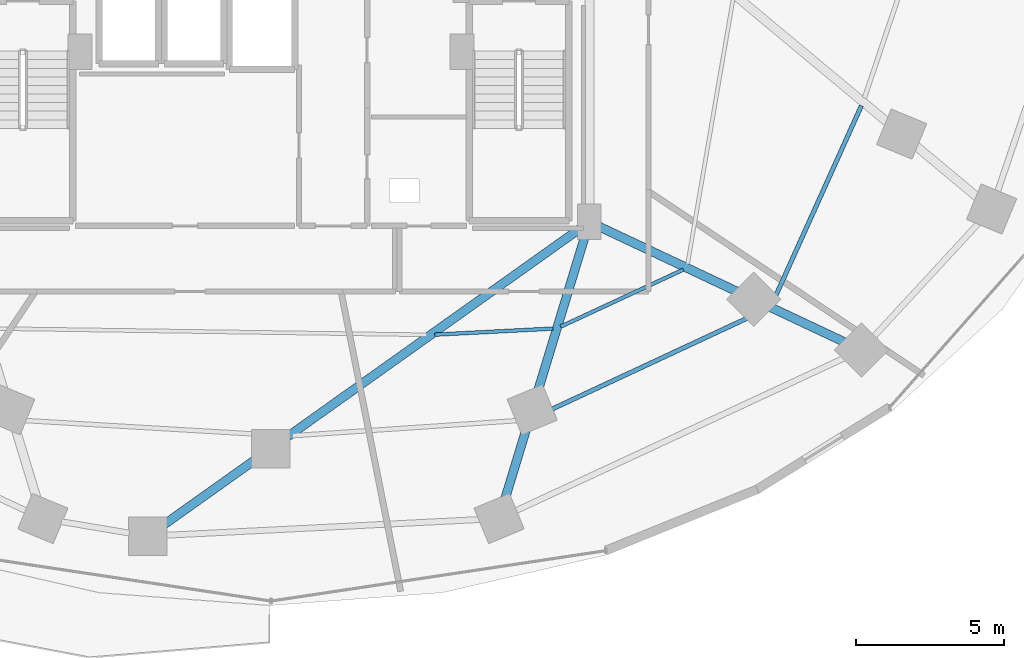
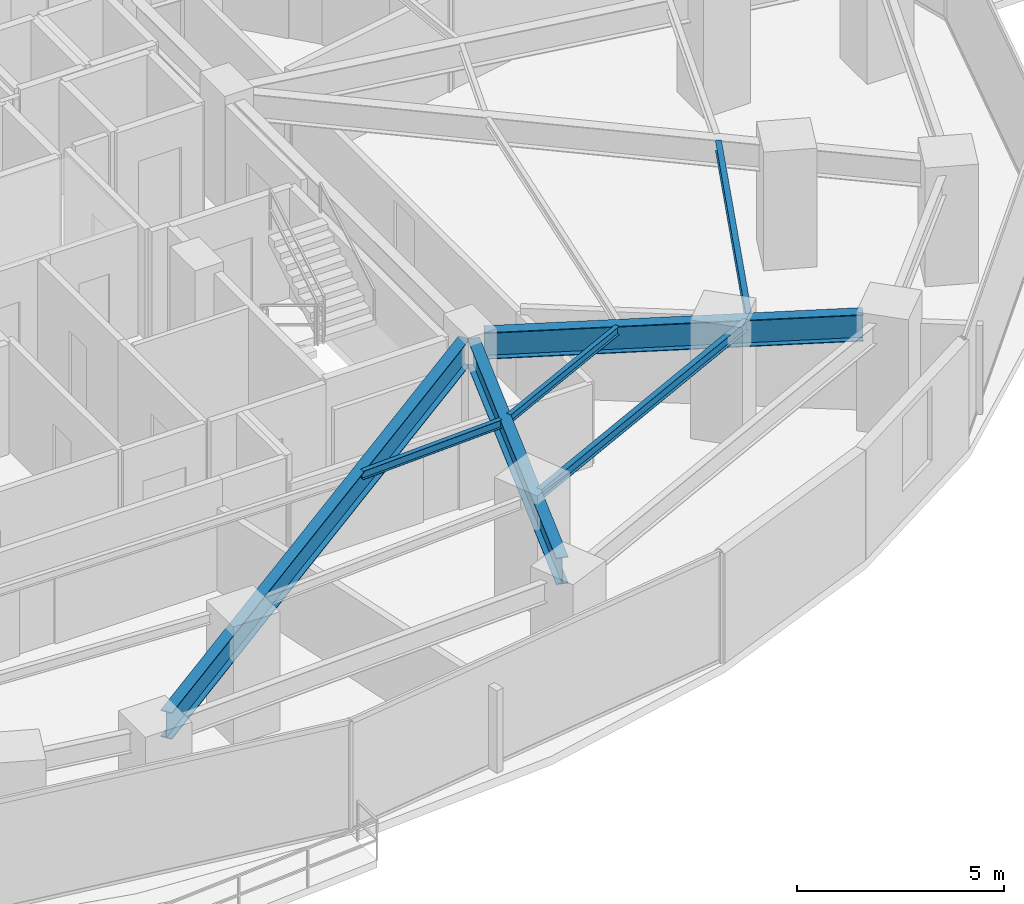
# One storey, part 12 of 33: 7 beams.
"""IFC4 building model written with IfcOpenShell, lengths in metres."""

from ifc_helpers import new_model, si_unit, direction, frame, origin, origin_2d, place, context, subcontext, project, spatial, i_section, extrude, material, material_profile, profile_set, type_object, element, save


model = new_model("IFC4")

# Units and contexts
model_context = context("Model", 3, precision=1e-05, world=origin(), true_north=direction((0.0, 1.0)))
body_context = subcontext(model_context, "Body", "Model", "MODEL_VIEW")
ifc_project = project(units=[si_unit("LENGTHUNIT", "METRE"), si_unit("AREAUNIT", "SQUARE_METRE"), si_unit("VOLUMEUNIT", "CUBIC_METRE"), si_unit("PLANEANGLEUNIT", "RADIAN"), si_unit("MASSUNIT", "GRAM", prefix="KILO")], contexts=[model_context])

# Site, building, storey
site_placement = place(None, origin())
site = spatial("IfcSite", under=ifc_project, at=site_placement, CompositionType="ELEMENT")
building_placement = place(site_placement, origin())
building = spatial("IfcBuilding", under=site, at=building_placement, Name="Vorneva Point Tower", CompositionType="ELEMENT")
storey_placement = place(building_placement, frame((0.0, 0.0, 34.5)))
storey = spatial("IfcBuildingStorey", under=building, at=storey_placement, Name="L08", CompositionType="ELEMENT", Elevation=34.5)

# Beams
ifc_material = material(Name="Steel S355", Category="steel")
ifc_material_profile_1 = material_profile(ifc_material, i_section(OverallWidth=0.300048828125, OverallDepth=0.7880859375, WebThickness=0.014404296875, FlangeThickness=0.02197265625, at=origin_2d()), Name="80Sh1")
ifc_profile_set_1 = profile_set([ifc_material_profile_1], Name="Steel S355")
beam_type_1 = type_object("IfcBeamType", Name="BM-GRD-80Sh1", PredefinedType="USERDEFINED", material=ifc_profile_set_1)
beam_1_placement = place(storey_placement, frame((34.360107421875, 6.209716796875, 2.845947265625), z_axis=(0.814752171819, 0.579809363943, 0.0), x_axis=(-0.579809363943, 0.814752171819, 0.0)))
element("IfcBeam", 1, at=beam_1_placement, inside=storey, type_object=beam_type_1, Name="L08 Radial Primary Girder 13", ObjectType="GIRDER", PredefinedType="USERDEFINED", context=body_context, shape_type="SweptSolid", body=[
    extrude(i_section(OverallWidth=0.300048828125, OverallDepth=0.7880859375, WebThickness=0.014404296875, FlangeThickness=0.02197265625, at=origin_2d()), origin(), (0.0, 0.0, 1.0), 17.321533203125),
])
beam_2_placement = place(storey_placement, frame((45.888916015625, 7.045654296875, 2.845947265625), z_axis=(0.29104183924, 0.956710325967, 0.0), x_axis=(-0.956710325967, 0.29104183924, 0.0)))
element("IfcBeam", 2, at=beam_2_placement, inside=storey, type_object=beam_type_1, Name="L08 Radial Primary Girder 14", ObjectType="GIRDER", PredefinedType="USERDEFINED", context=body_context, shape_type="SweptSolid", body=[
    extrude(i_section(OverallWidth=0.300048828125, OverallDepth=0.7880859375, WebThickness=0.014404296875, FlangeThickness=0.02197265625, at=origin_2d()), origin(), (0.0, 0.0, 1.0), 9.489990234375),
])
beam_3_placement = place(storey_placement, frame((57.361572265625, 12.39599609375, 2.845947265625), z_axis=(-0.904758409006, 0.425925135831, 0.0), x_axis=(-0.425925135831, -0.904758409006, 0.0)))
element("IfcBeam", 3, at=beam_3_placement, inside=storey, type_object=beam_type_1, Name="L08 Radial Primary Girder 15", ObjectType="GIRDER", PredefinedType="USERDEFINED", context=body_context, shape_type="SweptSolid", body=[
    extrude(i_section(OverallWidth=0.300048828125, OverallDepth=0.7880859375, WebThickness=0.014404296875, FlangeThickness=0.02197265625, at=origin_2d()), origin(), (0.0, 0.0, 1.0), 9.177978515625),
])
ifc_material_profile_2 = material_profile(ifc_material, i_section(OverallWidth=0.1240234375, OverallDepth=0.248046875, WebThickness=0.0048828125, FlangeThickness=0.008056640625, at=origin_2d()), Name="25B1")
ifc_profile_set_2 = profile_set([ifc_material_profile_2], Name="Steel S355")
beam_type_2 = type_object("IfcBeamType", Name="BM-JST-25B1", PredefinedType="JOIST", material=ifc_profile_set_2)
beam_4_placement = place(storey_placement, frame((43.5302734375, 12.64453125, 3.115966796875), z_axis=(0.99868702203, 0.051227258644, 0.0), x_axis=(-0.051227258644, 0.99868702203, 0.0)))
element("IfcBeam", 4, at=beam_4_placement, inside=storey, type_object=beam_type_2, Name="L08 Secondary Floor Beam 2.13", PredefinedType="JOIST", context=body_context, shape_type="SweptSolid", body=[
    extrude(i_section(OverallWidth=0.1240234375, OverallDepth=0.248046875, WebThickness=0.0048828125, FlangeThickness=0.008056640625, at=origin_2d()), origin(), (0.0, 0.0, 1.0), 3.99365234375),
])
beam_5_placement = place(storey_placement, frame((47.78173828125, 12.914306640625, 3.115966796875), z_axis=(0.906750590893, 0.421667364063, 0.0), x_axis=(-0.421667364063, 0.906750590893, 0.0)))
element("IfcBeam", 5, at=beam_5_placement, inside=storey, type_object=beam_type_2, Name="L08 Secondary Floor Beam 2.14", PredefinedType="JOIST", context=body_context, shape_type="SweptSolid", body=[
    extrude(i_section(OverallWidth=0.1240234375, OverallDepth=0.248046875, WebThickness=0.0048828125, FlangeThickness=0.008056640625, at=origin_2d()), origin(), (0.0, 0.0, 1.0), 4.56591796875),
])
ifc_material_profile_3 = material_profile(ifc_material, i_section(OverallWidth=0.14892578125, OverallDepth=0.298095703125, WebThickness=0.005615234375, FlangeThickness=0.008056640625, at=origin_2d()), Name="30B1")
ifc_profile_set_3 = profile_set([ifc_material_profile_3], Name="Steel S355")
beam_type_3 = type_object("IfcBeamType", Name="BM-JST-30B1", PredefinedType="JOIST", material=ifc_profile_set_3)
beam_6_placement = place(storey_placement, frame((46.842529296875, 9.82763671875, 3.091064453125), z_axis=(0.906403355504, 0.422413253971, 0.0), x_axis=(-0.422413253971, 0.906403355504, 0.0)))
element("IfcBeam", 6, at=beam_6_placement, inside=storey, type_object=beam_type_3, Name="L08 Secondary Floor Beam 1.14", PredefinedType="JOIST", context=body_context, shape_type="SweptSolid", body=[
    extrude(i_section(OverallWidth=0.14892578125, OverallDepth=0.298095703125, WebThickness=0.005615234375, FlangeThickness=0.008056640625, at=origin_2d()), origin(), (0.0, 0.0, 1.0), 8.718505859375),
])
beam_7_placement = place(storey_placement, frame((54.927001953125, 13.694580078125, 3.091064453125), z_axis=(0.410896568671, 0.911681967494, 0.0), x_axis=(-0.911681967494, 0.410896568671, 0.0)))
element("IfcBeam", 7, at=beam_7_placement, inside=storey, type_object=beam_type_3, Name="L08 Secondary Floor Beam 1.15", PredefinedType="JOIST", context=body_context, shape_type="SweptSolid", body=[
    extrude(i_section(OverallWidth=0.14892578125, OverallDepth=0.298095703125, WebThickness=0.005615234375, FlangeThickness=0.008056640625, at=origin_2d()), origin(), (0.0, 0.0, 1.0), 7.327880859375),
])

save(model, "model.ifc")
